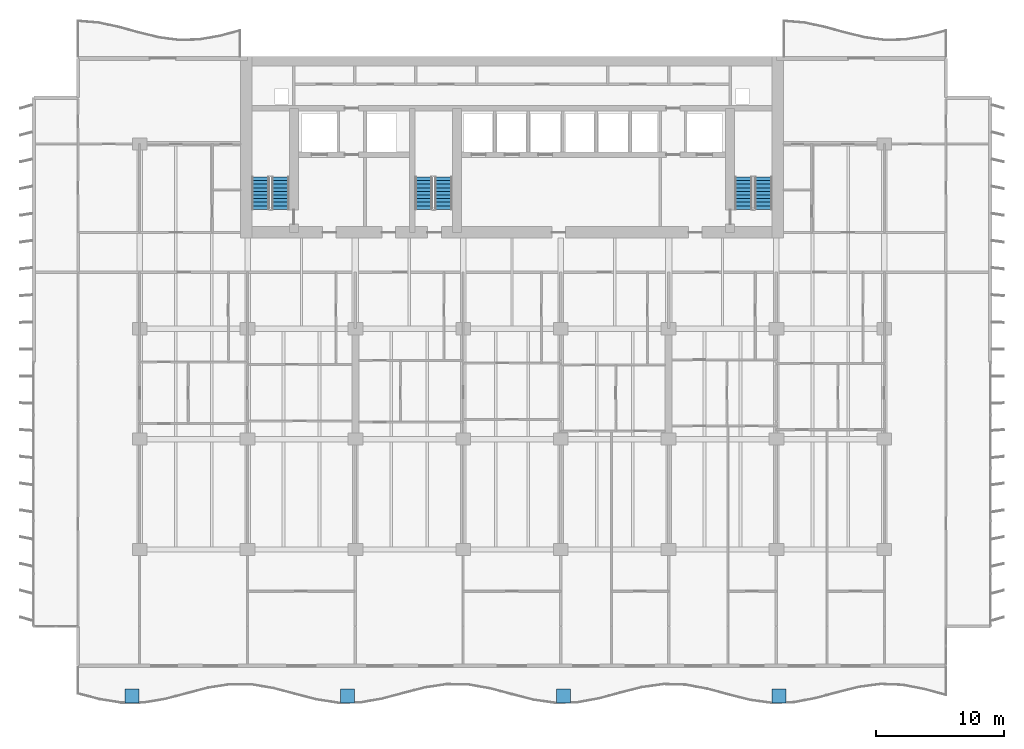
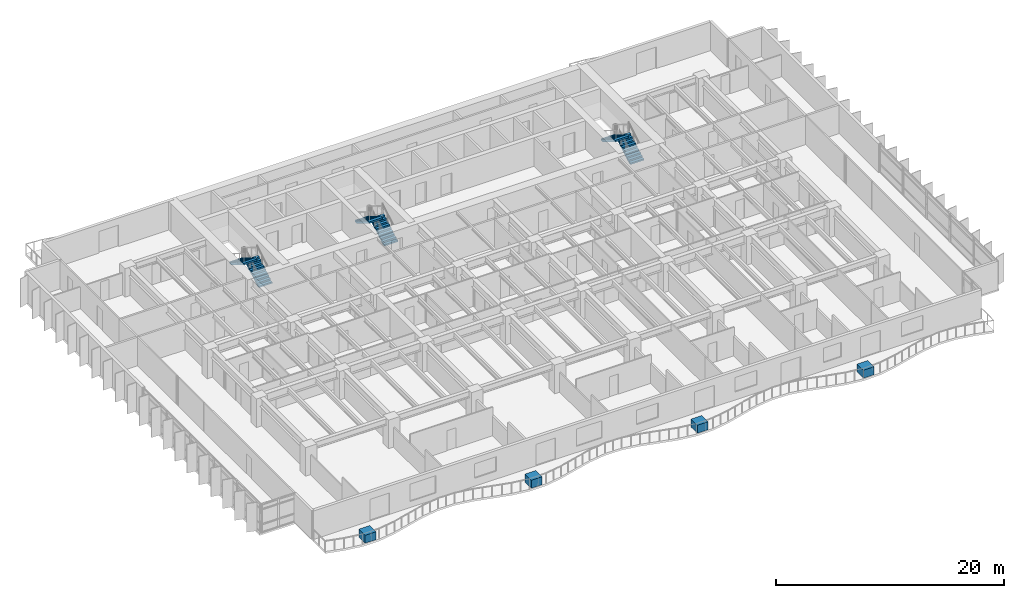
# One storey, part 13 of 17: 6 stair flights, 4 discrete accessories, 3 elements without a shape of their own.
"""IFC4 building model written with IfcOpenShell, lengths in metres."""

from ifc_helpers import new_model, si_unit, direction, frame, origin, origin_2d, place, context, subcontext, project, spatial, polyline, rectangle, outline, extrude, material, type_object, element, aggregate, save


model = new_model("IFC4")

# Units and contexts
model_context = context("Model", 3, precision=1e-05, world=origin(), true_north=direction((0.0, 1.0)))
body_context = subcontext(model_context, "Body", "Model", "MODEL_VIEW")
ifc_project = project(units=[si_unit("LENGTHUNIT", "METRE"), si_unit("AREAUNIT", "SQUARE_METRE"), si_unit("VOLUMEUNIT", "CUBIC_METRE"), si_unit("PLANEANGLEUNIT", "RADIAN"), si_unit("MASSUNIT", "GRAM", prefix="KILO")], contexts=[model_context])

# Site, building, storey
site_placement = place(None, origin())
site = spatial("IfcSite", under=ifc_project, at=site_placement, CompositionType="ELEMENT")
building_placement = place(site_placement, origin())
building = spatial("IfcBuilding", under=site, at=building_placement, Name="Caelmar Bay Residences", CompositionType="ELEMENT")
storey_placement = place(building_placement, frame((0.0, 0.0, 63.0)))
storey = spatial("IfcBuildingStorey", under=building, at=storey_placement, Name="L16", CompositionType="ELEMENT", Elevation=63.0)

# Stair, stair flights
ifc_material_1 = material(Name="Concrete f'c 40 MPa (6,000 psi)", Category="concrete")
stair_type = type_object("IfcStairType", Name="ST-TYP-165", PredefinedType="HALF_TURN_STAIR", material=ifc_material_1)
stair_1_placement = place(storey_placement, origin())
stair_1 = element("IfcStair", 1, at=stair_1_placement, inside=storey, type_object=stair_type, Name="L16 West Smokeproof Exit Stair ST1", PredefinedType="HALF_TURN_STAIR")
stair_flight_type = type_object("IfcStairFlightType", Name="STF-1350", PredefinedType="STRAIGHT", material=ifc_material_1)
stair_flight_1_placement = place(storey_placement, frame((20.875, 38.699951171875, 0.0), z_axis=(0.0, 0.0, 1.0), x_axis=(0.0, 1.0, 0.0)))
stair_flight_1 = element("IfcStairFlight", 2, at=stair_flight_1_placement, type_object=stair_flight_type, Name="ST1 flight 1", NumberOfRisers=10, NumberOfTreads=9, PredefinedType="STRAIGHT", RiserHeight=0.165, TreadLength=0.28, context=body_context, shape_type="SweptSolid", body=[
    extrude(outline(polyline([(0.0, 0.0), (0.0, 0.1650390625), (0.280029296875, 0.1650390625), (0.280029296875, 0.330078125), (0.56005859375, 0.330078125), (0.56005859375, 0.4951171875), (0.840087890625, 0.4951171875), (0.840087890625, 0.659912109375), (1.1201171875, 0.659912109375), (1.1201171875, 0.824951171875), (1.39990234375, 0.824951171875), (1.39990234375, 0.989990234375), (1.679931640625, 0.989990234375), (1.679931640625, 1.155029296875), (1.9599609375, 1.155029296875), (1.9599609375, 1.320068359375), (2.239990234375, 1.320068359375), (2.239990234375, 1.485107421875), (2.52001953125, 1.485107421875), (2.52001953125, 1.64990234375), (2.52001953125, 1.31103515625), (0.295166015625, 0.0), (0.0, 0.0)])), frame((0.0, 0.675048828125, 0.0), z_axis=(0.0, -1.0, 0.0), x_axis=(1.0, 0.0, 0.0)), (0.0, 0.0, 1.0), 1.35009765625),
])
stair_flight_2_placement = place(storey_placement, frame((19.324951171875, 41.219970703125, 1.64990234375), z_axis=(0.0, 0.0, 1.0), x_axis=(0.0, -1.0, 0.0)))
stair_flight_2 = element("IfcStairFlight", 3, at=stair_flight_2_placement, type_object=stair_flight_type, Name="ST1 flight 2", NumberOfRisers=10, NumberOfTreads=9, PredefinedType="STRAIGHT", RiserHeight=0.165, TreadLength=0.28, context=body_context, shape_type="SweptSolid", body=[
    extrude(outline(polyline([(0.0, 0.0), (0.0, 0.1650390625), (0.280029296875, 0.1650390625), (0.280029296875, 0.330078125), (0.56005859375, 0.330078125), (0.56005859375, 0.4951171875), (0.840087890625, 0.4951171875), (0.840087890625, 0.659912109375), (1.1201171875, 0.659912109375), (1.1201171875, 0.824951171875), (1.39990234375, 0.824951171875), (1.39990234375, 0.989990234375), (1.679931640625, 0.989990234375), (1.679931640625, 1.155029296875), (1.9599609375, 1.155029296875), (1.9599609375, 1.320068359375), (2.239990234375, 1.320068359375), (2.239990234375, 1.485107421875), (2.52001953125, 1.485107421875), (2.52001953125, 1.64990234375), (2.52001953125, 1.31103515625), (0.295166015625, 0.0), (0.0, 0.0)])), frame((0.0, 0.675048828125, 0.0), z_axis=(0.0, -1.0, 0.0), x_axis=(1.0, 0.0, 0.0)), (0.0, 0.0, 1.0), 1.35009765625),
])
aggregate(stair_1, [stair_flight_1, stair_flight_2])

stair_2_placement = place(storey_placement, origin())
stair_2 = element("IfcStair", 4, at=stair_2_placement, inside=storey, type_object=stair_type, Name="L16 East Smokeproof Exit Stair ST2", PredefinedType="HALF_TURN_STAIR")
stair_flight_3_placement = place(storey_placement, frame((58.47509765625, 38.699951171875, 0.0), z_axis=(0.0, 0.0, 1.0), x_axis=(0.0, 1.0, 0.0)))
stair_flight_3 = element("IfcStairFlight", 5, at=stair_flight_3_placement, type_object=stair_flight_type, Name="ST2 flight 1", NumberOfRisers=10, NumberOfTreads=9, PredefinedType="STRAIGHT", RiserHeight=0.165, TreadLength=0.28, context=body_context, shape_type="SweptSolid", body=[
    extrude(outline(polyline([(0.0, 0.0), (0.0, 0.1650390625), (0.280029296875, 0.1650390625), (0.280029296875, 0.330078125), (0.56005859375, 0.330078125), (0.56005859375, 0.4951171875), (0.840087890625, 0.4951171875), (0.840087890625, 0.659912109375), (1.1201171875, 0.659912109375), (1.1201171875, 0.824951171875), (1.39990234375, 0.824951171875), (1.39990234375, 0.989990234375), (1.679931640625, 0.989990234375), (1.679931640625, 1.155029296875), (1.9599609375, 1.155029296875), (1.9599609375, 1.320068359375), (2.239990234375, 1.320068359375), (2.239990234375, 1.485107421875), (2.52001953125, 1.485107421875), (2.52001953125, 1.64990234375), (2.52001953125, 1.31103515625), (0.295166015625, 0.0), (0.0, 0.0)])), frame((0.0, 0.675048828125, 0.0), z_axis=(0.0, -1.0, 0.0), x_axis=(1.0, 0.0, 0.0)), (0.0, 0.0, 1.0), 1.35009765625),
])
stair_flight_4_placement = place(storey_placement, frame((56.925048828125, 41.219970703125, 1.64990234375), z_axis=(0.0, 0.0, 1.0), x_axis=(0.0, -1.0, 0.0)))
stair_flight_4 = element("IfcStairFlight", 6, at=stair_flight_4_placement, type_object=stair_flight_type, Name="ST2 flight 2", NumberOfRisers=10, NumberOfTreads=9, PredefinedType="STRAIGHT", RiserHeight=0.165, TreadLength=0.28, context=body_context, shape_type="SweptSolid", body=[
    extrude(outline(polyline([(0.0, 0.0), (0.0, 0.1650390625), (0.280029296875, 0.1650390625), (0.280029296875, 0.330078125), (0.56005859375, 0.330078125), (0.56005859375, 0.4951171875), (0.840087890625, 0.4951171875), (0.840087890625, 0.659912109375), (1.1201171875, 0.659912109375), (1.1201171875, 0.824951171875), (1.39990234375, 0.824951171875), (1.39990234375, 0.989990234375), (1.679931640625, 0.989990234375), (1.679931640625, 1.155029296875), (1.9599609375, 1.155029296875), (1.9599609375, 1.320068359375), (2.239990234375, 1.320068359375), (2.239990234375, 1.485107421875), (2.52001953125, 1.485107421875), (2.52001953125, 1.64990234375), (2.52001953125, 1.31103515625), (0.295166015625, 0.0), (0.0, 0.0)])), frame((0.0, 0.675048828125, 0.0), z_axis=(0.0, -1.0, 0.0), x_axis=(1.0, 0.0, 0.0)), (0.0, 0.0, 1.0), 1.35009765625),
])
aggregate(stair_2, [stair_flight_3, stair_flight_4])

stair_3_placement = place(storey_placement, origin())
stair_3 = element("IfcStair", 7, at=stair_3_placement, inside=storey, type_object=stair_type, Name="L16 Central Smokeproof Exit Stair ST3", PredefinedType="HALF_TURN_STAIR")
stair_flight_5_placement = place(storey_placement, frame((33.574951171875, 38.699951171875, 0.0), z_axis=(0.0, 0.0, 1.0), x_axis=(0.0, 1.0, 0.0)))
stair_flight_5 = element("IfcStairFlight", 8, at=stair_flight_5_placement, type_object=stair_flight_type, Name="ST3 flight 1", NumberOfRisers=10, NumberOfTreads=9, PredefinedType="STRAIGHT", RiserHeight=0.165, TreadLength=0.28, context=body_context, shape_type="SweptSolid", body=[
    extrude(outline(polyline([(0.0, 0.0), (0.0, 0.1650390625), (0.280029296875, 0.1650390625), (0.280029296875, 0.330078125), (0.56005859375, 0.330078125), (0.56005859375, 0.4951171875), (0.840087890625, 0.4951171875), (0.840087890625, 0.659912109375), (1.1201171875, 0.659912109375), (1.1201171875, 0.824951171875), (1.39990234375, 0.824951171875), (1.39990234375, 0.989990234375), (1.679931640625, 0.989990234375), (1.679931640625, 1.155029296875), (1.9599609375, 1.155029296875), (1.9599609375, 1.320068359375), (2.239990234375, 1.320068359375), (2.239990234375, 1.485107421875), (2.52001953125, 1.485107421875), (2.52001953125, 1.64990234375), (2.52001953125, 1.31103515625), (0.295166015625, 0.0), (0.0, 0.0)])), frame((0.0, 0.675048828125, 0.0), z_axis=(0.0, -1.0, 0.0), x_axis=(1.0, 0.0, 0.0)), (0.0, 0.0, 1.0), 1.35009765625),
])
stair_flight_6_placement = place(storey_placement, frame((32.02490234375, 41.219970703125, 1.64990234375), z_axis=(0.0, 0.0, 1.0), x_axis=(0.0, -1.0, 0.0)))
stair_flight_6 = element("IfcStairFlight", 9, at=stair_flight_6_placement, type_object=stair_flight_type, Name="ST3 flight 2", NumberOfRisers=10, NumberOfTreads=9, PredefinedType="STRAIGHT", RiserHeight=0.165, TreadLength=0.28, context=body_context, shape_type="SweptSolid", body=[
    extrude(outline(polyline([(0.0, 0.0), (0.0, 0.1650390625), (0.280029296875, 0.1650390625), (0.280029296875, 0.330078125), (0.56005859375, 0.330078125), (0.56005859375, 0.4951171875), (0.840087890625, 0.4951171875), (0.840087890625, 0.659912109375), (1.1201171875, 0.659912109375), (1.1201171875, 0.824951171875), (1.39990234375, 0.824951171875), (1.39990234375, 0.989990234375), (1.679931640625, 0.989990234375), (1.679931640625, 1.155029296875), (1.9599609375, 1.155029296875), (1.9599609375, 1.320068359375), (2.239990234375, 1.320068359375), (2.239990234375, 1.485107421875), (2.52001953125, 1.485107421875), (2.52001953125, 1.64990234375), (2.52001953125, 1.31103515625), (0.295166015625, 0.0), (0.0, 0.0)])), frame((0.0, 0.675048828125, 0.0), z_axis=(0.0, -1.0, 0.0), x_axis=(1.0, 0.0, 0.0)), (0.0, 0.0, 1.0), 1.35009765625),
])
aggregate(stair_3, [stair_flight_5, stair_flight_6])

# Discrete accessories
ifc_material_2 = material(Name="Architectural bronze GRC planter trough with volcanic-lapilli substrate")
discrete_accessory_type = type_object("IfcDiscreteAccessoryType", Name="ACC-PLANTER-1100", PredefinedType="USERDEFINED", material=ifc_material_2)
for number, where, z_axis, x_axis, name in (
    (10, (9.300048828125, 0.800048828125, 0.0), (0.0, 0.0, 1.0), (1.0, 0.0, 0.0), "L16 Balcony Structural Tree Planter 1"),
    (11, (26.10009765625, 0.800048828125, 0.0), (0.0, 0.0, 1.0), (1.0, 0.0, 0.0), "L16 Balcony Structural Tree Planter 2"),
    (12, (42.89990234375, 0.800048828125, 0.0), (0.0, 0.0, 1.0), (1.0, 0.0, 0.0), "L16 Balcony Structural Tree Planter 3"),
    (13, (59.699951171875, 0.800048828125, 0.0), (0.0, 0.0, 1.0), (1.0, 0.0, 0.0), "L16 Balcony Structural Tree Planter 4"),
):
    element("IfcDiscreteAccessory", number, at=place(storey_placement, frame(where, z_axis=z_axis, x_axis=x_axis)), inside=storey, type_object=discrete_accessory_type, Name=name, ObjectType="PLANTER", PredefinedType="USERDEFINED", context=body_context, shape_type="SweptSolid", body=[
        extrude(rectangle(XDim=1.10009765625, YDim=1.10009765625, at=origin_2d()), origin(), (0.0, 0.0, 1.0), 0.85009765625),
    ])

save(model, "model.ifc")
